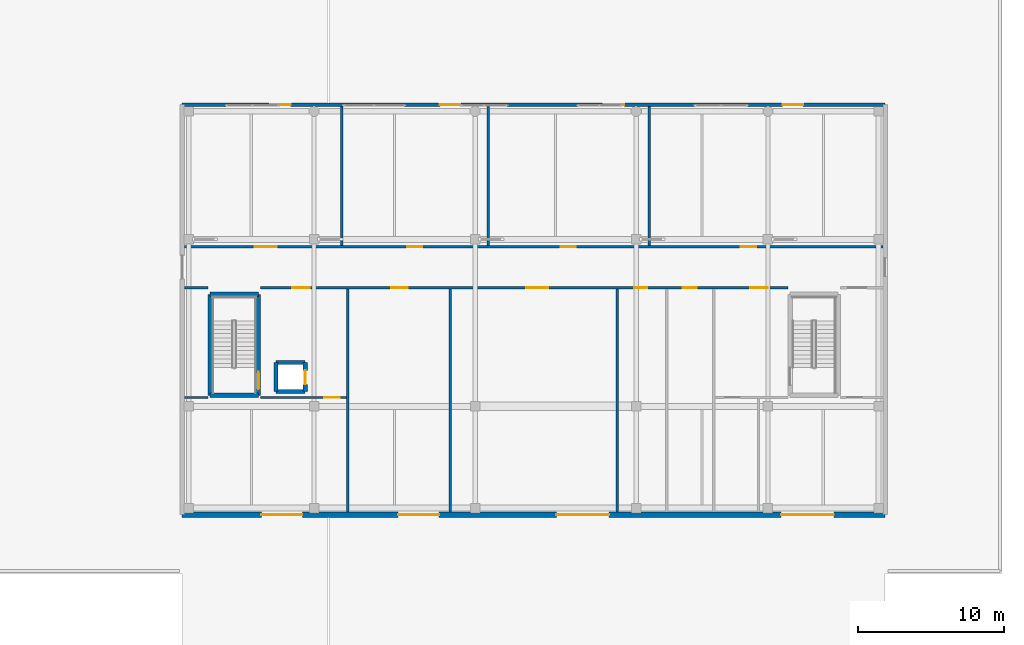
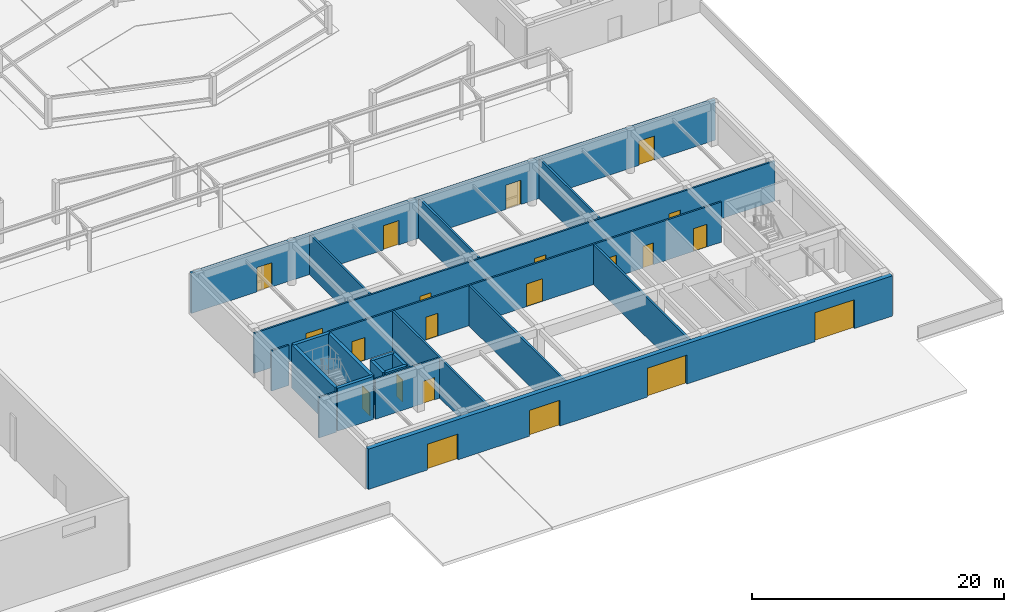
# One storey, part 87 of 114: 21 doors, 21 walls, 21 openings.
"""IFC4 building model written with IfcOpenShell, lengths in metres."""

from ifc_helpers import new_model, si_unit, direction, frame, frame_2d, origin, place, context, subcontext, project, spatial, rectangle, extrude, material, layer, layer_set, type_object, element, fill, save


model = new_model("IFC4")

# Units and contexts
model_context = context("Model", 3, precision=1e-05, world=origin(), true_north=direction((0.0, 1.0)))
body_context = subcontext(model_context, "Body", "Model", "MODEL_VIEW")
ifc_project = project(units=[si_unit("LENGTHUNIT", "METRE"), si_unit("AREAUNIT", "SQUARE_METRE"), si_unit("VOLUMEUNIT", "CUBIC_METRE"), si_unit("PLANEANGLEUNIT", "RADIAN"), si_unit("MASSUNIT", "GRAM", prefix="KILO")], contexts=[model_context])

# Site, building, storey
site_placement = place(None, origin())
site = spatial("IfcSite", under=ifc_project, at=site_placement, CompositionType="ELEMENT")
building_placement = place(site_placement, origin())
building = spatial("IfcBuilding", under=site, at=building_placement, Name="Keldmere Railside Commons", CompositionType="ELEMENT")
storey_placement = place(building_placement, origin())
storey = spatial("IfcBuildingStorey", under=building, at=storey_placement, Name="L00", CompositionType="ELEMENT", Elevation=0.0)

# Walls
ifc_material_1 = material(Name="Acoustic Gypsum Board Partition", Category="gypsum")
ifc_layer_1 = layer(ifc_material_1, 0.179931640625, Name="Acoustic Demising Partition 180")
ifc_layer_set_1 = layer_set([ifc_layer_1], Name="Acoustic Gypsum Board Partition")
wall_type_1 = type_object("IfcWallType", Name="Acoustic Demising Partition 180", PredefinedType="PARTITIONING", material=ifc_layer_set_1)
wall_1_placement = place(storey_placement, frame((139.300048828125, 12.199951171875, 0.0), z_axis=(0.0, 0.0, 1.0), x_axis=(0.0, 1.0, 0.0)))
element("IfcWall", 1, at=wall_1_placement, inside=storey, type_object=wall_type_1, Name="IW-1 IW-L00-0134", PredefinedType="PARTITIONING", context=body_context, shape_type="SweptSolid", body=[
    extrude(rectangle(XDim=15.219970703125, YDim=0.179931640625, at=frame_2d((7.60986328125, 0.0))), origin(), (0.0, 0.0, 1.0), 3.889892578125),
])
for number, where, z_axis, x_axis, name in (
    (2, (138.89990234375, 30.3798828125, 0.0), (0.0, 0.0, 1.0), (0.0, 1.0, 0.0), "IW-1 IW-L00-0136"),
    (3, (148.89990234375, 30.3798828125, 0.0), (0.0, 0.0, 1.0), (0.0, 1.0, 0.0), "IW-1 IW-L00-0137"),
    (4, (159.89990234375, 30.3798828125, 0.0), (0.0, 0.0, 1.0), (0.0, 1.0, 0.0), "IW-1 IW-L00-0138"),
):
    element("IfcWall", number, at=place(storey_placement, frame(where, z_axis=z_axis, x_axis=x_axis)), inside=storey, type_object=wall_type_1, Name=name, PredefinedType="PARTITIONING", context=body_context, shape_type="SweptSolid", body=[
        extrude(rectangle(XDim=9.5, YDim=0.179931640625, at=frame_2d((4.75, 0.0))), origin(), (0.0, 0.0, 1.0), 3.889892578125),
    ])
for number, where, z_axis, x_axis, name in (
    (5, (146.300048828125, 12.199951171875, 0.0), (0.0, 0.0, 1.0), (0.0, 1.0, 0.0), "IW-1 IW-L00-0139"),
    (6, (157.699951171875, 12.199951171875, 0.0), (0.0, 0.0, 1.0), (0.0, 1.0, 0.0), "IW-1 IW-L00-0140"),
):
    element("IfcWall", number, at=place(storey_placement, frame(where, z_axis=z_axis, x_axis=x_axis)), inside=storey, type_object=wall_type_1, Name=name, PredefinedType="PARTITIONING", context=body_context, shape_type="SweptSolid", body=[
        extrude(rectangle(XDim=15.219970703125, YDim=0.179931640625, at=frame_2d((7.60986328125, 0.0))), origin(), (0.0, 0.0, 1.0), 3.889892578125),
    ])

# Wall, openings, doors
ifc_material_2 = material(Name="Terracotta Brick Masonry", Category="masonry")
ifc_layer_2 = layer(ifc_material_2, 0.39990234375, Name="Civic Brick Cavity Wall 400")
ifc_layer_set_2 = layer_set([ifc_layer_2], Name="Terracotta Brick Masonry")
wall_type_2 = type_object("IfcWallType", Name="Civic Brick Cavity Wall 400", PredefinedType="SOLIDWALL", material=ifc_layer_set_2)
wall_2_placement = place(storey_placement, frame((176.0, 12.0, 0.0), z_axis=(0.0, 0.0, 1.0), x_axis=(-1.0, 0.0, 0.0)))
wall_2 = element("IfcWall", 7, at=wall_2_placement, inside=storey, type_object=wall_type_2, Name="EW-3 ARCS-L00-1005", PredefinedType="SOLIDWALL", context=body_context, shape_type="SweptSolid", body=[
    extrude(rectangle(XDim=48.0, YDim=0.39990234375, at=frame_2d((24.0, 0.0))), origin(), (0.0, 0.0, 1.0), 3.89990234375),
])
opening_1_placement = place(wall_2_placement, frame((3.5, 0.0, 0.0)))
opening_1 = element("IfcOpeningElement", 8, at=opening_1_placement, cuts=wall_2, Name="Opening VG-2", PredefinedType="OPENING", context=body_context, shape_type="SweptSolid", body=[
    extrude(rectangle(XDim=3.60009765625, YDim=2.800048828125, at=frame_2d((1.800048828125, 1.39990234375))), frame((0.0, 0.2099609375, 0.0), z_axis=(0.0, -1.0, 0.0), x_axis=(1.0, 0.0, 0.0)), (0.0, 0.0, 1.0), 0.419921875),
])
opening_2_placement = place(wall_2_placement, frame((18.85009765625, 0.0, 0.0)))
opening_2 = element("IfcOpeningElement", 9, at=opening_2_placement, cuts=wall_2, Name="Opening VG-2", PredefinedType="OPENING", context=body_context, shape_type="SweptSolid", body=[
    extrude(rectangle(XDim=3.60009765625, YDim=2.800048828125, at=frame_2d((1.800048828125, 1.39990234375))), frame((0.0, 0.2099609375, 0.0), z_axis=(0.0, -1.0, 0.0), x_axis=(1.0, 0.0, 0.0)), (0.0, 0.0, 1.0), 0.419921875),
])
opening_3_placement = place(wall_2_placement, frame((30.449951171875, 0.0, 0.0)))
opening_3 = element("IfcOpeningElement", 10, at=opening_3_placement, cuts=wall_2, Name="Opening VG-3", PredefinedType="OPENING", context=body_context, shape_type="SweptSolid", body=[
    extrude(rectangle(XDim=2.800048828125, YDim=2.5, at=frame_2d((1.39990234375, 1.25))), frame((0.0, 0.2099609375, 0.0), z_axis=(0.0, -1.0, 0.0), x_axis=(1.0, 0.0, 0.0)), (0.0, 0.0, 1.0), 0.419921875),
])
opening_4_placement = place(wall_2_placement, frame((39.800048828125, 0.0, 0.0)))
opening_4 = element("IfcOpeningElement", 11, at=opening_4_placement, cuts=wall_2, Name="Opening VG-3", PredefinedType="OPENING", context=body_context, shape_type="SweptSolid", body=[
    extrude(rectangle(XDim=2.800048828125, YDim=2.5, at=frame_2d((1.39990234375, 1.25))), frame((0.0, 0.2099609375, 0.0), z_axis=(0.0, -1.0, 0.0), x_axis=(1.0, 0.0, 0.0)), (0.0, 0.0, 1.0), 0.419921875),
])
ifc_material_3 = material(Name="Steel F-24 (S235)", Category="steel")
door_type_1 = type_object("IfcDoorType", Name="Market Loading-Bay Roller Shutter Gate 3600x2800", OperationType="ROLLINGUP", PredefinedType="GATE", material=ifc_material_3)
door_1_placement = place(opening_1_placement, origin())
door_1 = element("IfcDoor", 12, at=door_1_placement, inside=storey, type_object=door_type_1, Name="VG-2 DR-L00-0312", OperationType="ROLLINGUP", OverallHeight=2.800048828125, OverallWidth=3.60009765625, PredefinedType="GATE", context=body_context, shape_type="SweptSolid", body=[
    extrude(rectangle(XDim=3.60009765625, YDim=2.800048828125, at=frame_2d((1.800048828125, 1.39990234375))), frame((0.0, 0.02490234375, 0.0), z_axis=(0.0, -1.0, 0.0), x_axis=(1.0, 0.0, 0.0)), (0.0, 0.0, 1.0), 0.050048828125),
])
fill(opening_1, door_1)
door_2_placement = place(opening_2_placement, origin())
door_2 = element("IfcDoor", 13, at=door_2_placement, inside=storey, type_object=door_type_1, Name="VG-2 DR-L00-0313", OperationType="ROLLINGUP", OverallHeight=2.800048828125, OverallWidth=3.60009765625, PredefinedType="GATE", context=body_context, shape_type="SweptSolid", body=[
    extrude(rectangle(XDim=3.60009765625, YDim=2.800048828125, at=frame_2d((1.800048828125, 1.39990234375))), frame((0.0, 0.02490234375, 0.0), z_axis=(0.0, -1.0, 0.0), x_axis=(1.0, 0.0, 0.0)), (0.0, 0.0, 1.0), 0.050048828125),
])
fill(opening_2, door_2)
door_type_2 = type_object("IfcDoorType", Name="Service & Waste Collection Shutter Gate 2800x2500", OperationType="ROLLINGUP", PredefinedType="GATE", material=ifc_material_3)
door_3_placement = place(opening_3_placement, origin())
door_3 = element("IfcDoor", 14, at=door_3_placement, inside=storey, type_object=door_type_2, Name="VG-3 DR-L00-0314", OperationType="ROLLINGUP", OverallHeight=2.5, OverallWidth=2.800048828125, PredefinedType="GATE", context=body_context, shape_type="SweptSolid", body=[
    extrude(rectangle(XDim=2.800048828125, YDim=2.5, at=frame_2d((1.39990234375, 1.25))), frame((0.0, 0.02490234375, 0.0), z_axis=(0.0, -1.0, 0.0), x_axis=(1.0, 0.0, 0.0)), (0.0, 0.0, 1.0), 0.050048828125),
])
fill(opening_3, door_3)
door_4_placement = place(opening_4_placement, origin())
door_4 = element("IfcDoor", 15, at=door_4_placement, inside=storey, type_object=door_type_2, Name="VG-3 DR-L00-0315", OperationType="ROLLINGUP", OverallHeight=2.5, OverallWidth=2.800048828125, PredefinedType="GATE", context=body_context, shape_type="SweptSolid", body=[
    extrude(rectangle(XDim=2.800048828125, YDim=2.5, at=frame_2d((1.39990234375, 1.25))), frame((0.0, 0.02490234375, 0.0), z_axis=(0.0, -1.0, 0.0), x_axis=(1.0, 0.0, 0.0)), (0.0, 0.0, 1.0), 0.050048828125),
])
fill(opening_4, door_4)

# Wall, opening, door
ifc_material_4 = material(Name="Concrete H-35 (C35/45)", Category="concrete")
ifc_layer_3 = layer(ifc_material_4, 0.280029296875, Name="Core Shear Wall 280")
ifc_layer_set_3 = layer_set([ifc_layer_3], Name="Concrete H-35 (C35/45)")
wall_type_3 = type_object("IfcWallType", Name="Core Shear Wall 280", PredefinedType="SHEAR", material=ifc_layer_set_3)
wall_3_placement = place(storey_placement, frame((136.39990234375, 20.39990234375, 0.0), z_axis=(0.0, 0.0, 1.0), x_axis=(0.0, 1.0, 0.0)))
wall_3 = element("IfcWall", 16, at=wall_3_placement, inside=storey, type_object=wall_type_3, Name="CSW-2 ALSH-L00-1009", PredefinedType="SHEAR", context=body_context, shape_type="SweptSolid", body=[
    extrude(rectangle(XDim=2.0, YDim=0.280029296875, at=frame_2d((1.0, 0.0))), origin(), (0.0, 0.0, 1.0), 3.89990234375),
])
opening_5_placement = place(wall_3_placement, frame((0.5, 0.0, 0.0)))
opening_5 = element("IfcOpeningElement", 17, at=opening_5_placement, cuts=wall_3, Name="Opening LD-3", PredefinedType="OPENING", context=body_context, shape_type="SweptSolid", body=[
    extrude(rectangle(XDim=0.949951171875, YDim=2.14990234375, at=frame_2d((0.47509765625, 1.074951171875))), frame((0.0, 0.14990234375, 0.0), z_axis=(0.0, -1.0, 0.0), x_axis=(1.0, 0.0, 0.0)), (0.0, 0.0, 1.0), 0.300048828125),
])
door_type_3 = type_object("IfcDoorType", Name="Civic Lift Sliding Landing Door 950x2150", OperationType="SLIDING_TO_LEFT", PredefinedType="DOOR", material=ifc_material_3)
door_5_placement = place(opening_5_placement, origin())
door_5 = element("IfcDoor", 18, at=door_5_placement, inside=storey, type_object=door_type_3, Name="LD-3 PL-M1 L00", OperationType="SLIDING_TO_LEFT", OverallHeight=2.14990234375, OverallWidth=0.949951171875, PredefinedType="DOOR", context=body_context, shape_type="SweptSolid", body=[
    extrude(rectangle(XDim=0.949951171875, YDim=2.14990234375, at=frame_2d((0.47509765625, 1.074951171875))), frame((0.0, 0.02490234375, 0.0), z_axis=(0.0, -1.0, 0.0), x_axis=(1.0, 0.0, 0.0)), (0.0, 0.0, 1.0), 0.050048828125),
])
fill(opening_5, door_5)

# Walls
for number, where, z_axis, x_axis, name in (
    (19, (134.39990234375, 20.39990234375, 0.0), (0.0, 0.0, 1.0), (0.0, 1.0, 0.0), "CSW-2 ALSHB-L00-1010"),
    (20, (134.39990234375, 20.39990234375, 0.0), (0.0, 0.0, 1.0), (1.0, 0.0, 0.0), "CSW-2 ALSHS-L00-1011"),
    (21, (134.39990234375, 22.39990234375, 0.0), (0.0, 0.0, 1.0), (1.0, 0.0, 0.0), "CSW-2 ALSHN-L00-1012"),
):
    element("IfcWall", number, at=place(storey_placement, frame(where, z_axis=z_axis, x_axis=x_axis)), inside=storey, type_object=wall_type_3, Name=name, PredefinedType="SHEAR", context=body_context, shape_type="SweptSolid", body=[
        extrude(rectangle(XDim=2.0, YDim=0.280029296875, at=frame_2d((1.0, 0.0))), origin(), (0.0, 0.0, 1.0), 3.89990234375),
    ])
ifc_layer_4 = layer(ifc_material_1, 0.159912109375, Name="Corridor Fire Partition 160")
ifc_layer_set_4 = layer_set([ifc_layer_4], Name="Acoustic Gypsum Board Partition")
wall_type_4 = type_object("IfcWallType", Name="Corridor Fire Partition 160", PredefinedType="PARTITIONING", material=ifc_layer_set_4)
wall_4_placement = place(storey_placement, frame((128.159912109375, 27.5, 0.0), z_axis=(0.0, 0.0, 1.0), x_axis=(1.0, 0.0, 0.0)))
element("IfcWall", 22, at=wall_4_placement, inside=storey, type_object=wall_type_4, Name="IW-2 IW-L00-0130", PredefinedType="PARTITIONING", context=body_context, shape_type="SweptSolid", body=[
    extrude(rectangle(XDim=1.60009765625, YDim=0.159912109375, at=frame_2d((0.800048828125, 0.0))), origin(), (0.0, 0.0, 1.0), 3.889892578125),
])

# Wall, openings, doors
wall_5_placement = place(storey_placement, frame((133.35009765625, 27.5, 0.0), z_axis=(0.0, 0.0, 1.0), x_axis=(1.0, 0.0, 0.0)))
wall_5 = element("IfcWall", 23, at=wall_5_placement, inside=storey, type_object=wall_type_4, Name="IW-2 IW-L00-0131", PredefinedType="PARTITIONING", context=body_context, shape_type="SweptSolid", body=[
    extrude(rectangle(XDim=36.010009765625, YDim=0.159912109375, at=frame_2d((18.0048828125, 0.0))), origin(), (0.0, 0.0, 1.0), 3.889892578125),
])
opening_6_placement = place(wall_5_placement, frame((2.14990234375, 0.0, 0.0)))
opening_6 = element("IfcOpeningElement", 24, at=opening_6_placement, cuts=wall_5, Name="Opening FD-10", PredefinedType="OPENING", context=body_context, shape_type="SweptSolid", body=[
    extrude(rectangle(XDim=1.199951171875, YDim=2.199951171875, at=frame_2d((0.60009765625, 1.10009765625))), frame((0.0, 0.08984375, 0.0), z_axis=(0.0, -1.0, 0.0), x_axis=(1.0, 0.0, 0.0)), (0.0, 0.0, 1.0), 0.179931640625),
])
opening_7_placement = place(wall_5_placement, frame((33.449951171875, 0.0, 0.0)))
opening_7 = element("IfcOpeningElement", 25, at=opening_7_placement, cuts=wall_5, Name="Opening FD-10", PredefinedType="OPENING", context=body_context, shape_type="SweptSolid", body=[
    extrude(rectangle(XDim=1.199951171875, YDim=2.199951171875, at=frame_2d((0.60009765625, 1.10009765625))), frame((0.0, 0.08984375, 0.0), z_axis=(0.0, -1.0, 0.0), x_axis=(1.0, 0.0, 0.0)), (0.0, 0.0, 1.0), 0.179931640625),
])
opening_8_placement = place(wall_5_placement, frame((8.929931640625, 0.0, 0.0)))
opening_8 = element("IfcOpeningElement", 26, at=opening_8_placement, cuts=wall_5, Name="Opening ID-15", PredefinedType="OPENING", context=body_context, shape_type="SweptSolid", body=[
    extrude(rectangle(XDim=1.1201171875, YDim=2.199951171875, at=frame_2d((0.56005859375, 1.10009765625))), frame((0.0, 0.08984375, 0.0), z_axis=(0.0, -1.0, 0.0), x_axis=(1.0, 0.0, 0.0)), (0.0, 0.0, 1.0), 0.179931640625),
])
opening_9_placement = place(wall_5_placement, frame((18.1298828125, 0.0, 0.0)))
opening_9 = element("IfcOpeningElement", 27, at=opening_9_placement, cuts=wall_5, Name="Opening ID-07", PredefinedType="OPENING", context=body_context, shape_type="SweptSolid", body=[
    extrude(rectangle(XDim=1.5, YDim=2.199951171875, at=frame_2d((0.75, 1.10009765625))), frame((0.0, 0.08984375, 0.0), z_axis=(0.0, -1.0, 0.0), x_axis=(1.0, 0.0, 0.0)), (0.0, 0.0, 1.0), 0.179931640625),
])
opening_10_placement = place(wall_5_placement, frame((25.530029296875, 0.0, 0.0)))
opening_10 = element("IfcOpeningElement", 28, at=opening_10_placement, cuts=wall_5, Name="Opening ID-04", PredefinedType="OPENING", context=body_context, shape_type="SweptSolid", body=[
    extrude(rectangle(XDim=0.860107421875, YDim=2.10009765625, at=frame_2d((0.43017578125, 1.050048828125))), frame((0.0, 0.08984375, 0.0), z_axis=(0.0, -1.0, 0.0), x_axis=(1.0, 0.0, 0.0)), (0.0, 0.0, 1.0), 0.179931640625),
])
opening_11_placement = place(wall_5_placement, frame((28.830078125, 0.0, 0.0)))
opening_11 = element("IfcOpeningElement", 29, at=opening_11_placement, cuts=wall_5, Name="Opening ID-05", PredefinedType="OPENING", context=body_context, shape_type="SweptSolid", body=[
    extrude(rectangle(XDim=0.93994140625, YDim=2.10009765625, at=frame_2d((0.469970703125, 1.050048828125))), frame((0.0, 0.08984375, 0.0), z_axis=(0.0, -1.0, 0.0), x_axis=(1.0, 0.0, 0.0)), (0.0, 0.0, 1.0), 0.179931640625),
])
ifc_material_5 = material(Name="Engineered Oak Timber", Category="wood")
door_type_4 = type_object("IfcDoorType", Name="Accessible Bathroom Door 940x2100", OperationType="NOTDEFINED", PredefinedType="DOOR", material=ifc_material_5)
door_6_placement = place(opening_11_placement, origin())
door_6 = element("IfcDoor", 30, at=door_6_placement, inside=storey, type_object=door_type_4, Name="ID-05 IDR-L00-0067", OperationType="SINGLE_SWING_LEFT", OverallHeight=2.10009765625, OverallWidth=0.93994140625, PredefinedType="DOOR", context=body_context, shape_type="SweptSolid", body=[
    extrude(rectangle(XDim=0.93994140625, YDim=2.10009765625, at=frame_2d((0.469970703125, 1.050048828125))), frame((0.0, 0.02490234375, 0.0), z_axis=(0.0, -1.0, 0.0), x_axis=(1.0, 0.0, 0.0)), (0.0, 0.0, 1.0), 0.050048828125),
])
fill(opening_11, door_6)
door_type_5 = type_object("IfcDoorType", Name="Apartment Bathroom Door 860x2100", OperationType="NOTDEFINED", PredefinedType="DOOR", material=ifc_material_5)
door_7_placement = place(opening_10_placement, origin())
door_7 = element("IfcDoor", 31, at=door_7_placement, inside=storey, type_object=door_type_5, Name="ID-04 IDR-L00-0066", OperationType="SINGLE_SWING_RIGHT", OverallHeight=2.10009765625, OverallWidth=0.860107421875, PredefinedType="DOOR", context=body_context, shape_type="SweptSolid", body=[
    extrude(rectangle(XDim=0.860107421875, YDim=2.10009765625, at=frame_2d((0.43017578125, 1.050048828125))), frame((0.0, 0.02490234375, 0.0), z_axis=(0.0, -1.0, 0.0), x_axis=(1.0, 0.0, 0.0)), (0.0, 0.0, 1.0), 0.050048828125),
])
fill(opening_10, door_7)
door_type_6 = type_object("IfcDoorType", Name="Civic Core Fire Door 1200x2200", OperationType="NOTDEFINED", PredefinedType="DOOR", material=ifc_material_3)
door_8_placement = place(opening_6_placement, origin())
door_8 = element("IfcDoor", 32, at=door_8_placement, inside=storey, type_object=door_type_6, Name="FD-10 IDR-L00-0057", OperationType="SINGLE_SWING_LEFT", OverallHeight=2.199951171875, OverallWidth=1.199951171875, PredefinedType="DOOR", context=body_context, shape_type="SweptSolid", body=[
    extrude(rectangle(XDim=1.199951171875, YDim=2.199951171875, at=frame_2d((0.60009765625, 1.10009765625))), frame((0.0, 0.02490234375, 0.0), z_axis=(0.0, -1.0, 0.0), x_axis=(1.0, 0.0, 0.0)), (0.0, 0.0, 1.0), 0.050048828125),
])
fill(opening_6, door_8)
door_9_placement = place(opening_7_placement, origin())
door_9 = element("IfcDoor", 33, at=door_9_placement, inside=storey, type_object=door_type_6, Name="FD-10 IDR-L00-0058", OperationType="SINGLE_SWING_RIGHT", OverallHeight=2.199951171875, OverallWidth=1.199951171875, PredefinedType="DOOR", context=body_context, shape_type="SweptSolid", body=[
    extrude(rectangle(XDim=1.199951171875, YDim=2.199951171875, at=frame_2d((0.60009765625, 1.10009765625))), frame((0.0, 0.02490234375, 0.0), z_axis=(0.0, -1.0, 0.0), x_axis=(1.0, 0.0, 0.0)), (0.0, 0.0, 1.0), 0.050048828125),
])
fill(opening_7, door_9)
door_type_7 = type_object("IfcDoorType", Name="Cold Storage Insulated Door 1120x2200", OperationType="NOTDEFINED", PredefinedType="DOOR", material=ifc_material_3)
door_10_placement = place(opening_8_placement, origin())
door_10 = element("IfcDoor", 34, at=door_10_placement, inside=storey, type_object=door_type_7, Name="ID-15 IDR-L00-0064", OperationType="SINGLE_SWING_RIGHT", OverallHeight=2.199951171875, OverallWidth=1.1201171875, PredefinedType="DOOR", context=body_context, shape_type="SweptSolid", body=[
    extrude(rectangle(XDim=1.1201171875, YDim=2.199951171875, at=frame_2d((0.56005859375, 1.10009765625))), frame((0.0, 0.02490234375, 0.0), z_axis=(0.0, -1.0, 0.0), x_axis=(1.0, 0.0, 0.0)), (0.0, 0.0, 1.0), 0.050048828125),
])
fill(opening_8, door_10)
door_type_8 = type_object("IfcDoorType", Name="Resident Lounge Double Door 1500x2200", OperationType="DOUBLE_DOOR_SINGLE_SWING", PredefinedType="DOOR", material=ifc_material_5)
door_11_placement = place(opening_9_placement, origin())
door_11 = element("IfcDoor", 35, at=door_11_placement, inside=storey, type_object=door_type_8, Name="ID-07 IDR-L00-0065", OperationType="DOUBLE_DOOR_SINGLE_SWING", OverallHeight=2.199951171875, OverallWidth=1.5, PredefinedType="DOOR", context=body_context, shape_type="SweptSolid", body=[
    extrude(rectangle(XDim=1.5, YDim=2.199951171875, at=frame_2d((0.75, 1.10009765625))), frame((0.0, 0.02490234375, 0.0), z_axis=(0.0, -1.0, 0.0), x_axis=(1.0, 0.0, 0.0)), (0.0, 0.0, 1.0), 0.050048828125),
])
fill(opening_9, door_11)

wall_6_placement = place(storey_placement, frame((128.159912109375, 30.300048828125, 0.0), z_axis=(0.0, 0.0, 1.0), x_axis=(1.0, 0.0, 0.0)))
wall_6 = element("IfcWall", 36, at=wall_6_placement, inside=storey, type_object=wall_type_4, Name="IW-2 IW-L00-0133", PredefinedType="PARTITIONING", context=body_context, shape_type="SweptSolid", body=[
    extrude(rectangle(XDim=47.68017578125, YDim=0.159912109375, at=frame_2d((23.840087890625, 0.0))), origin(), (0.0, 0.0, 1.0), 3.889892578125),
])
opening_12_placement = place(wall_6_placement, frame((4.784912109375, 0.0, 0.0)))
opening_12 = element("IfcOpeningElement", 37, at=opening_12_placement, cuts=wall_6, Name="Opening ID-07", PredefinedType="OPENING", context=body_context, shape_type="SweptSolid", body=[
    extrude(rectangle(XDim=1.5, YDim=2.199951171875, at=frame_2d((0.75, 1.10009765625))), frame((0.0, 0.08984375, 0.0), z_axis=(0.0, -1.0, 0.0), x_axis=(1.0, 0.0, 0.0)), (0.0, 0.0, 1.0), 0.179931640625),
])
opening_13_placement = place(wall_6_placement, frame((15.18994140625, 0.0, 0.0)))
opening_13 = element("IfcOpeningElement", 38, at=opening_13_placement, cuts=wall_6, Name="Opening ID-14", PredefinedType="OPENING", context=body_context, shape_type="SweptSolid", body=[
    extrude(rectangle(XDim=1.0400390625, YDim=2.14990234375, at=frame_2d((0.52001953125, 1.074951171875))), frame((0.0, 0.08984375, 0.0), z_axis=(0.0, -1.0, 0.0), x_axis=(1.0, 0.0, 0.0)), (0.0, 0.0, 1.0), 0.179931640625),
])
opening_14_placement = place(wall_6_placement, frame((25.68994140625, 0.0, 0.0)))
opening_14 = element("IfcOpeningElement", 39, at=opening_14_placement, cuts=wall_6, Name="Opening ID-14", PredefinedType="OPENING", context=body_context, shape_type="SweptSolid", body=[
    extrude(rectangle(XDim=1.0400390625, YDim=2.14990234375, at=frame_2d((0.52001953125, 1.074951171875))), frame((0.0, 0.08984375, 0.0), z_axis=(0.0, -1.0, 0.0), x_axis=(1.0, 0.0, 0.0)), (0.0, 0.0, 1.0), 0.179931640625),
])
opening_15_placement = place(wall_6_placement, frame((37.9951171875, 0.0, 0.0)))
opening_15 = element("IfcOpeningElement", 40, at=opening_15_placement, cuts=wall_6, Name="Opening ID-14", PredefinedType="OPENING", context=body_context, shape_type="SweptSolid", body=[
    extrude(rectangle(XDim=1.0400390625, YDim=2.14990234375, at=frame_2d((0.52001953125, 1.074951171875))), frame((0.0, 0.08984375, 0.0), z_axis=(0.0, -1.0, 0.0), x_axis=(1.0, 0.0, 0.0)), (0.0, 0.0, 1.0), 0.179931640625),
])
door_type_9 = type_object("IfcDoorType", Name="Market Shop Back-of-House Door 1040x2150", OperationType="NOTDEFINED", PredefinedType="DOOR", material=ifc_material_3)
door_12_placement = place(opening_13_placement, origin())
door_12 = element("IfcDoor", 41, at=door_12_placement, inside=storey, type_object=door_type_9, Name="ID-14 IDR-L00-0061", OperationType="SINGLE_SWING_LEFT", OverallHeight=2.14990234375, OverallWidth=1.0400390625, PredefinedType="DOOR", context=body_context, shape_type="SweptSolid", body=[
    extrude(rectangle(XDim=1.0400390625, YDim=2.14990234375, at=frame_2d((0.52001953125, 1.074951171875))), frame((0.0, 0.02490234375, 0.0), z_axis=(0.0, -1.0, 0.0), x_axis=(1.0, 0.0, 0.0)), (0.0, 0.0, 1.0), 0.050048828125),
])
fill(opening_13, door_12)
door_13_placement = place(opening_14_placement, origin())
door_13 = element("IfcDoor", 42, at=door_13_placement, inside=storey, type_object=door_type_9, Name="ID-14 IDR-L00-0062", OperationType="SINGLE_SWING_RIGHT", OverallHeight=2.14990234375, OverallWidth=1.0400390625, PredefinedType="DOOR", context=body_context, shape_type="SweptSolid", body=[
    extrude(rectangle(XDim=1.0400390625, YDim=2.14990234375, at=frame_2d((0.52001953125, 1.074951171875))), frame((0.0, 0.02490234375, 0.0), z_axis=(0.0, -1.0, 0.0), x_axis=(1.0, 0.0, 0.0)), (0.0, 0.0, 1.0), 0.050048828125),
])
fill(opening_14, door_13)
door_14_placement = place(opening_15_placement, origin())
door_14 = element("IfcDoor", 43, at=door_14_placement, inside=storey, type_object=door_type_9, Name="ID-14 IDR-L00-0063", OperationType="SINGLE_SWING_LEFT", OverallHeight=2.14990234375, OverallWidth=1.0400390625, PredefinedType="DOOR", context=body_context, shape_type="SweptSolid", body=[
    extrude(rectangle(XDim=1.0400390625, YDim=2.14990234375, at=frame_2d((0.52001953125, 1.074951171875))), frame((0.0, 0.02490234375, 0.0), z_axis=(0.0, -1.0, 0.0), x_axis=(1.0, 0.0, 0.0)), (0.0, 0.0, 1.0), 0.050048828125),
])
fill(opening_15, door_14)
door_15_placement = place(opening_12_placement, origin())
door_15 = element("IfcDoor", 44, at=door_15_placement, inside=storey, type_object=door_type_8, Name="ID-07 IDR-L00-0060", OperationType="DOUBLE_DOOR_SINGLE_SWING", OverallHeight=2.199951171875, OverallWidth=1.5, PredefinedType="DOOR", context=body_context, shape_type="SweptSolid", body=[
    extrude(rectangle(XDim=1.5, YDim=2.199951171875, at=frame_2d((0.75, 1.10009765625))), frame((0.0, 0.02490234375, 0.0), z_axis=(0.0, -1.0, 0.0), x_axis=(1.0, 0.0, 0.0)), (0.0, 0.0, 1.0), 0.050048828125),
])
fill(opening_12, door_15)

# Wall
wall_7_placement = place(storey_placement, frame((128.159912109375, 20.0, 0.0), z_axis=(0.0, 0.0, 1.0), x_axis=(1.0, 0.0, 0.0)))
element("IfcWall", 45, at=wall_7_placement, inside=storey, type_object=wall_type_4, Name="IW-2 IW-L00-0142", PredefinedType="PARTITIONING", context=body_context, shape_type="SweptSolid", body=[
    extrude(rectangle(XDim=1.60009765625, YDim=0.159912109375, at=frame_2d((0.800048828125, 0.0))), origin(), (0.0, 0.0, 1.0), 3.889892578125),
])

# Wall, opening, door
wall_8_placement = place(storey_placement, frame((133.35009765625, 20.0, 0.0), z_axis=(0.0, 0.0, 1.0), x_axis=(1.0, 0.0, 0.0)))
wall_8 = element("IfcWall", 46, at=wall_8_placement, inside=storey, type_object=wall_type_4, Name="IW-2 IW-L00-0143", PredefinedType="PARTITIONING", context=body_context, shape_type="SweptSolid", body=[
    extrude(rectangle(XDim=5.85986328125, YDim=0.159912109375, at=frame_2d((2.929931640625, 0.0))), origin(), (0.0, 0.0, 1.0), 3.889892578125),
])
opening_16_placement = place(wall_8_placement, frame((4.360107421875, 0.0, 0.0)))
opening_16 = element("IfcOpeningElement", 47, at=opening_16_placement, cuts=wall_8, Name="Opening ID-14", PredefinedType="OPENING", context=body_context, shape_type="SweptSolid", body=[
    extrude(rectangle(XDim=1.0400390625, YDim=2.14990234375, at=frame_2d((0.52001953125, 1.074951171875))), frame((0.0, 0.08984375, 0.0), z_axis=(0.0, -1.0, 0.0), x_axis=(1.0, 0.0, 0.0)), (0.0, 0.0, 1.0), 0.179931640625),
])
door_16_placement = place(opening_16_placement, origin())
door_16 = element("IfcDoor", 48, at=door_16_placement, inside=storey, type_object=door_type_9, Name="ID-14 IDR-L00-0068", OperationType="SINGLE_SWING_RIGHT", OverallHeight=2.14990234375, OverallWidth=1.0400390625, PredefinedType="DOOR", context=body_context, shape_type="SweptSolid", body=[
    extrude(rectangle(XDim=1.0400390625, YDim=2.14990234375, at=frame_2d((0.52001953125, 1.074951171875))), frame((0.0, 0.02490234375, 0.0), z_axis=(0.0, -1.0, 0.0), x_axis=(1.0, 0.0, 0.0)), (0.0, 0.0, 1.0), 0.050048828125),
])
fill(opening_16, door_16)

# Wall
ifc_layer_5 = layer(ifc_material_4, 0.300048828125, Name="Interior Shear Wall 300")
ifc_layer_set_5 = layer_set([ifc_layer_5], Name="Concrete H-35 (C35/45)")
wall_type_5 = type_object("IfcWallType", Name="Interior Shear Wall 300", PredefinedType="SHEAR", material=ifc_layer_set_5)
wall_9_placement = place(storey_placement, frame((133.199951171875, 20.14990234375, 0.0), z_axis=(0.0, 0.0, 1.0), x_axis=(-1.0, 0.0, 0.0)))
element("IfcWall", 49, at=wall_9_placement, inside=storey, type_object=wall_type_5, Name="ISW-2 WAL-ST-M1-L00-S", PredefinedType="SHEAR", context=body_context, shape_type="SweptSolid", body=[
    extrude(rectangle(XDim=3.2900390625, YDim=0.300048828125, at=frame_2d((1.64501953125, 0.0))), origin(), (0.0, 0.0, 1.0), 4.159912109375),
])

# Wall, opening, door
wall_10_placement = place(storey_placement, frame((133.199951171875, 27.050048828125, 0.0), z_axis=(0.0, 0.0, 1.0), x_axis=(0.0, -1.0, 0.0)))
wall_10 = element("IfcWall", 50, at=wall_10_placement, inside=storey, type_object=wall_type_5, Name="ISW-2 WAL-ST-M1-L00-E", PredefinedType="SHEAR", context=body_context, shape_type="SweptSolid", body=[
    extrude(rectangle(XDim=6.900146484375, YDim=0.300048828125, at=frame_2d((3.4501953125, 0.0))), origin(), (0.0, 0.0, 1.0), 4.159912109375),
])
opening_17_placement = place(wall_10_placement, frame((5.300048828125, 0.0, 0.0)))
opening_17 = element("IfcOpeningElement", 51, at=opening_17_placement, cuts=wall_10, Name="Opening FD-10", PredefinedType="OPENING", context=body_context, shape_type="SweptSolid", body=[
    extrude(rectangle(XDim=1.199951171875, YDim=2.199951171875, at=frame_2d((0.60009765625, 1.10009765625))), frame((0.0, 0.159912109375, 0.0), z_axis=(0.0, -1.0, 0.0), x_axis=(1.0, 0.0, 0.0)), (0.0, 0.0, 1.0), 0.320068359375),
])
door_17_placement = place(opening_17_placement, origin())
door_17 = element("IfcDoor", 52, at=door_17_placement, inside=storey, type_object=door_type_6, Name="FD-3 ST-M1 L00", OperationType="SINGLE_SWING_LEFT", OverallHeight=2.199951171875, OverallWidth=1.199951171875, PredefinedType="DOOR", context=body_context, shape_type="SweptSolid", body=[
    extrude(rectangle(XDim=1.199951171875, YDim=2.199951171875, at=frame_2d((0.60009765625, 1.10009765625))), frame((0.0, 0.02490234375, 0.0), z_axis=(0.0, -1.0, 0.0), x_axis=(1.0, 0.0, 0.0)), (0.0, 0.0, 1.0), 0.050048828125),
])
fill(opening_17, door_17)

# Walls
wall_11_placement = place(storey_placement, frame((129.909912109375, 27.050048828125, 0.0), z_axis=(0.0, 0.0, 1.0), x_axis=(1.0, 0.0, 0.0)))
element("IfcWall", 53, at=wall_11_placement, inside=storey, type_object=wall_type_5, Name="ISW-2 WAL-ST-M1-L00-N", PredefinedType="SHEAR", context=body_context, shape_type="SweptSolid", body=[
    extrude(rectangle(XDim=3.2900390625, YDim=0.300048828125, at=frame_2d((1.64501953125, 0.0))), origin(), (0.0, 0.0, 1.0), 4.159912109375),
])
wall_12_placement = place(storey_placement, frame((129.909912109375, 20.14990234375, 0.0), z_axis=(0.0, 0.0, 1.0), x_axis=(0.0, 1.0, 0.0)))
element("IfcWall", 54, at=wall_12_placement, inside=storey, type_object=wall_type_5, Name="ISW-2 WAL-ST-M1-L00-W", PredefinedType="SHEAR", context=body_context, shape_type="SweptSolid", body=[
    extrude(rectangle(XDim=6.900146484375, YDim=0.300048828125, at=frame_2d((3.4501953125, 0.0))), origin(), (0.0, 0.0, 1.0), 4.159912109375),
])

# Wall, openings, doors
ifc_material_6 = material(Name="Architectural Precast Concrete H-35 (C35/45)", Category="concrete")
ifc_layer_6 = layer(ifc_material_6, 0.239990234375, Name="Sand-Ochre Precast Cavity Wall 240")
ifc_layer_set_6 = layer_set([ifc_layer_6], Name="Architectural Precast Concrete H-35 (C35/45)")
wall_type_6 = type_object("IfcWallType", Name="Sand-Ochre Precast Cavity Wall 240", PredefinedType="SOLIDWALL", material=ifc_layer_set_6)
wall_13_placement = place(storey_placement, frame((128.0, 40.0, 0.0), z_axis=(0.0, 0.0, 1.0), x_axis=(1.0, 0.0, 0.0)))
wall_13 = element("IfcWall", 55, at=wall_13_placement, inside=storey, type_object=wall_type_6, Name="EW-2 ARCN-L00-1007", PredefinedType="SOLIDWALL", context=body_context, shape_type="SweptSolid", body=[
    extrude(rectangle(XDim=48.0, YDim=0.239990234375, at=frame_2d((24.0, 0.0))), origin(), (0.0, 0.0, 1.0), 3.89990234375),
])
opening_18_placement = place(wall_13_placement, frame((6.0, 0.0, 0.0)))
opening_18 = element("IfcOpeningElement", 56, at=opening_18_placement, cuts=wall_13, Name="Opening ED-07", PredefinedType="OPENING", context=body_context, shape_type="SweptSolid", body=[
    extrude(rectangle(XDim=1.39990234375, YDim=2.35009765625, at=frame_2d((0.699951171875, 1.175048828125))), frame((0.0, 0.1298828125, 0.0), z_axis=(0.0, -1.0, 0.0), x_axis=(1.0, 0.0, 0.0)), (0.0, 0.0, 1.0), 0.260009765625),
])
opening_19_placement = place(wall_13_placement, frame((17.60009765625, 0.0, 0.0)))
opening_19 = element("IfcOpeningElement", 57, at=opening_19_placement, cuts=wall_13, Name="Opening ED-07", PredefinedType="OPENING", context=body_context, shape_type="SweptSolid", body=[
    extrude(rectangle(XDim=1.39990234375, YDim=2.35009765625, at=frame_2d((0.699951171875, 1.175048828125))), frame((0.0, 0.1298828125, 0.0), z_axis=(0.0, -1.0, 0.0), x_axis=(1.0, 0.0, 0.0)), (0.0, 0.0, 1.0), 0.260009765625),
])
opening_20_placement = place(wall_13_placement, frame((28.800048828125, 0.0, 0.0)))
opening_20 = element("IfcOpeningElement", 58, at=opening_20_placement, cuts=wall_13, Name="Opening ED-07", PredefinedType="OPENING", context=body_context, shape_type="SweptSolid", body=[
    extrude(rectangle(XDim=1.39990234375, YDim=2.35009765625, at=frame_2d((0.699951171875, 1.175048828125))), frame((0.0, 0.1298828125, 0.0), z_axis=(0.0, -1.0, 0.0), x_axis=(1.0, 0.0, 0.0)), (0.0, 0.0, 1.0), 0.260009765625),
])
opening_21_placement = place(wall_13_placement, frame((41.0, 0.0, 0.0)))
opening_21 = element("IfcOpeningElement", 59, at=opening_21_placement, cuts=wall_13, Name="Opening ED-07", PredefinedType="OPENING", context=body_context, shape_type="SweptSolid", body=[
    extrude(rectangle(XDim=1.39990234375, YDim=2.35009765625, at=frame_2d((0.699951171875, 1.175048828125))), frame((0.0, 0.1298828125, 0.0), z_axis=(0.0, -1.0, 0.0), x_axis=(1.0, 0.0, 0.0)), (0.0, 0.0, 1.0), 0.260009765625),
])
ifc_material_7 = material(Name="Thermally Broken Aluminium", Category="aluminium")
door_type_10 = type_object("IfcDoorType", Name="Market Arcade Street Shopfront Door 1400x2350", OperationType="DOUBLE_DOOR_SINGLE_SWING", PredefinedType="DOOR", material=ifc_material_7)
door_18_placement = place(opening_18_placement, origin())
door_18 = element("IfcDoor", 60, at=door_18_placement, inside=storey, type_object=door_type_10, Name="ED-07 DR-L00-0306", OperationType="DOUBLE_DOOR_SINGLE_SWING", OverallHeight=2.35009765625, OverallWidth=1.39990234375, PredefinedType="DOOR", context=body_context, shape_type="SweptSolid", body=[
    extrude(rectangle(XDim=1.39990234375, YDim=2.35009765625, at=frame_2d((0.699951171875, 1.175048828125))), frame((0.0, 0.02490234375, 0.0), z_axis=(0.0, -1.0, 0.0), x_axis=(1.0, 0.0, 0.0)), (0.0, 0.0, 1.0), 0.050048828125),
])
fill(opening_18, door_18)
door_19_placement = place(opening_19_placement, origin())
door_19 = element("IfcDoor", 61, at=door_19_placement, inside=storey, type_object=door_type_10, Name="ED-07 DR-L00-0307", OperationType="DOUBLE_DOOR_SINGLE_SWING", OverallHeight=2.35009765625, OverallWidth=1.39990234375, PredefinedType="DOOR", context=body_context, shape_type="SweptSolid", body=[
    extrude(rectangle(XDim=1.39990234375, YDim=2.35009765625, at=frame_2d((0.699951171875, 1.175048828125))), frame((0.0, 0.02490234375, 0.0), z_axis=(0.0, -1.0, 0.0), x_axis=(1.0, 0.0, 0.0)), (0.0, 0.0, 1.0), 0.050048828125),
])
fill(opening_19, door_19)
door_20_placement = place(opening_20_placement, origin())
door_20 = element("IfcDoor", 62, at=door_20_placement, inside=storey, type_object=door_type_10, Name="ED-07 DR-L00-0308", OperationType="DOUBLE_DOOR_SINGLE_SWING", OverallHeight=2.35009765625, OverallWidth=1.39990234375, PredefinedType="DOOR", context=body_context, shape_type="SweptSolid", body=[
    extrude(rectangle(XDim=1.39990234375, YDim=2.35009765625, at=frame_2d((0.699951171875, 1.175048828125))), frame((0.0, 0.02490234375, 0.0), z_axis=(0.0, -1.0, 0.0), x_axis=(1.0, 0.0, 0.0)), (0.0, 0.0, 1.0), 0.050048828125),
])
fill(opening_20, door_20)
door_21_placement = place(opening_21_placement, origin())
door_21 = element("IfcDoor", 63, at=door_21_placement, inside=storey, type_object=door_type_10, Name="ED-07 DR-L00-0309", OperationType="DOUBLE_DOOR_SINGLE_SWING", OverallHeight=2.35009765625, OverallWidth=1.39990234375, PredefinedType="DOOR", context=body_context, shape_type="SweptSolid", body=[
    extrude(rectangle(XDim=1.39990234375, YDim=2.35009765625, at=frame_2d((0.699951171875, 1.175048828125))), frame((0.0, 0.02490234375, 0.0), z_axis=(0.0, -1.0, 0.0), x_axis=(1.0, 0.0, 0.0)), (0.0, 0.0, 1.0), 0.050048828125),
])
fill(opening_21, door_21)

save(model, "model.ifc")
